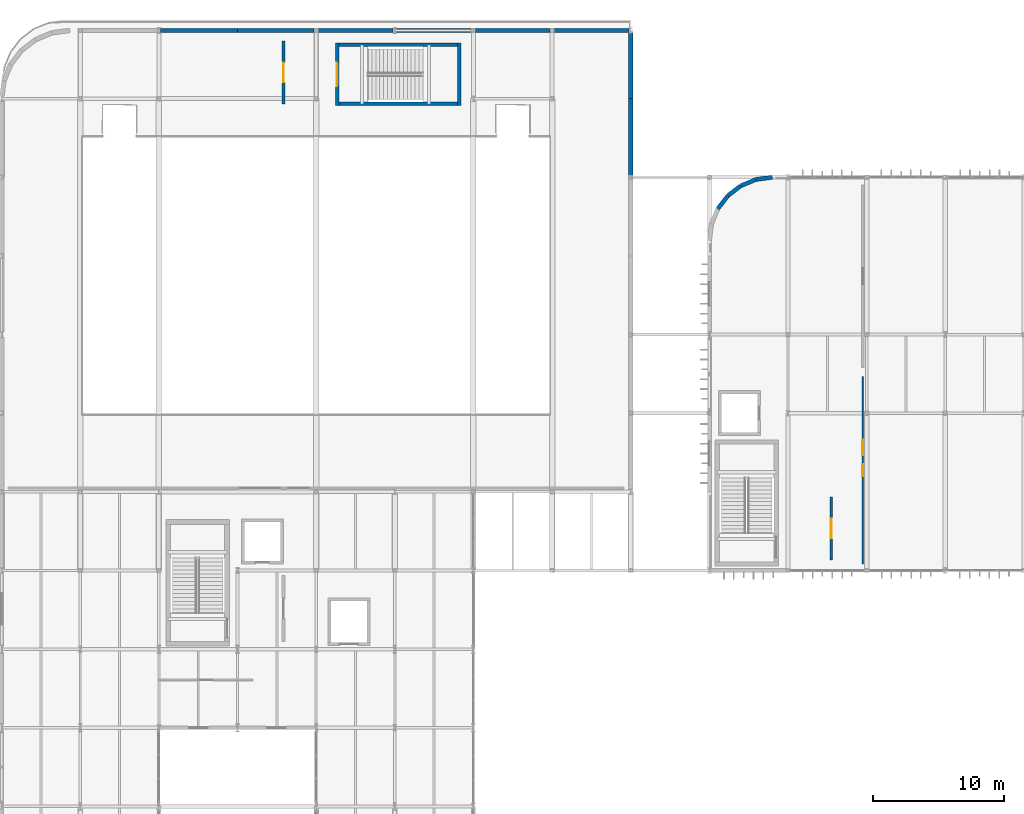
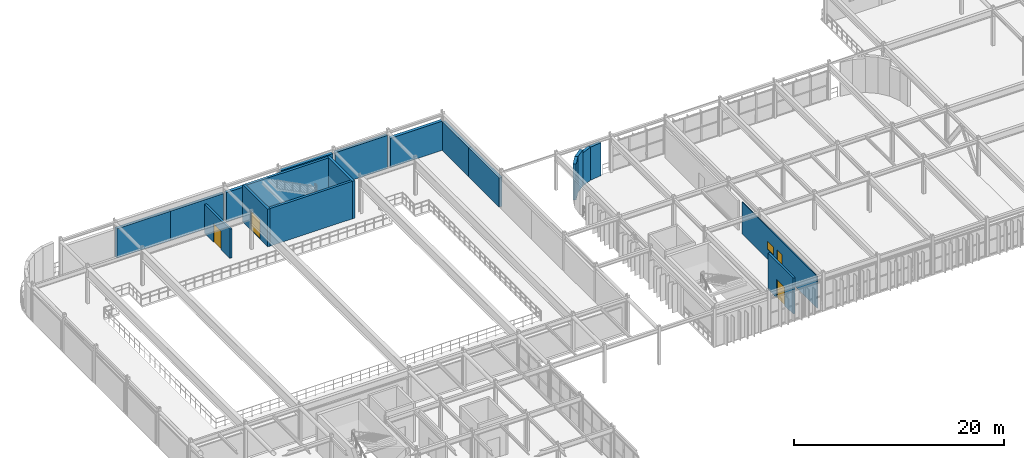
# One storey, part 67 of 96: 19 walls, 4 doors, 1 window, 5 openings.
"""IFC4 building model written with IfcOpenShell, lengths in metres."""

from ifc_helpers import new_model, si_unit, direction, frame, frame_2d, origin, place, context, subcontext, project, spatial, rectangle, extrude, material, layer, layer_set, type_object, element, fill, save


model = new_model("IFC4")

# Units and contexts
model_context = context("Model", 3, precision=1e-05, world=origin(), true_north=direction((0.0, 1.0)))
body_context = subcontext(model_context, "Body", "Model", "MODEL_VIEW")
ifc_project = project(units=[si_unit("LENGTHUNIT", "METRE"), si_unit("AREAUNIT", "SQUARE_METRE"), si_unit("VOLUMEUNIT", "CUBIC_METRE"), si_unit("PLANEANGLEUNIT", "RADIAN"), si_unit("MASSUNIT", "GRAM", prefix="KILO")], contexts=[model_context])

# Site, building, storey
site_placement = place(None, origin())
site = spatial("IfcSite", under=ifc_project, at=site_placement, CompositionType="ELEMENT")
building_placement = place(site_placement, origin())
building = spatial("IfcBuilding", under=site, at=building_placement, Name="Varnakota Square Police Headquarters", CompositionType="ELEMENT")
storey_placement = place(building_placement, frame((0.0, 0.0, 4.800048828125)))
storey = spatial("IfcBuildingStorey", under=building, at=storey_placement, Name="L01", CompositionType="ELEMENT", Elevation=4.800048828125)

# Walls
ifc_material_1 = material(Name="Concrete M50", Category="concrete")
ifc_layer_1 = layer(ifc_material_1, 0.27001953125, Name="Concrete M50")
ifc_layer_set_1 = layer_set([ifc_layer_1], Name="Concrete M50")
wall_type_1 = type_object("IfcWallType", Name="WL-CORE-270", PredefinedType="SHEAR", material=ifc_layer_set_1)
wall_1_placement = place(storey_placement, frame((31.465087890625, 104.60009765625, 0.0), z_axis=(0.0, 0.0, 1.0), x_axis=(1.0, 0.0, 0.0)))
element("IfcWall", 1, at=wall_1_placement, inside=storey, type_object=wall_type_1, Name="Core C7 shear wall L01 S", PredefinedType="SHEAR", context=body_context, shape_type="SweptSolid", body=[
    extrude(rectangle(XDim=9.56982421875, YDim=0.27001953125, at=frame_2d((4.784912109375, 0.0))), origin(), (0.0, 0.0, 1.0), 4.35986328125),
])
wall_2_placement = place(storey_placement, frame((40.89990234375, 104.465087890625, 0.0), z_axis=(0.0, 0.0, 1.0), x_axis=(0.0, 1.0, 0.0)))
element("IfcWall", 2, at=wall_2_placement, inside=storey, type_object=wall_type_1, Name="Core C7 shear wall L01 E", PredefinedType="SHEAR", context=body_context, shape_type="SweptSolid", body=[
    extrude(rectangle(XDim=4.77001953125, YDim=0.27001953125, at=frame_2d((2.385009765625, 0.0))), origin(), (0.0, 0.0, 1.0), 4.35986328125),
])
wall_3_placement = place(storey_placement, frame((41.034912109375, 109.10009765625, 0.0), z_axis=(0.0, 0.0, 1.0), x_axis=(-1.0, 0.0, 0.0)))
element("IfcWall", 3, at=wall_3_placement, inside=storey, type_object=wall_type_1, Name="Core C7 shear wall L01 N", PredefinedType="SHEAR", context=body_context, shape_type="SweptSolid", body=[
    extrude(rectangle(XDim=9.56982421875, YDim=0.27001953125, at=frame_2d((4.784912109375, 0.0))), origin(), (0.0, 0.0, 1.0), 4.35986328125),
])

# Wall, opening, door
wall_4_placement = place(storey_placement, frame((31.60009765625, 109.235107421875, 0.0), z_axis=(0.0, 0.0, 1.0), x_axis=(0.0, -1.0, 0.0)))
wall_4 = element("IfcWall", 4, at=wall_4_placement, inside=storey, type_object=wall_type_1, Name="Core C7 shear wall L01 W", PredefinedType="SHEAR", context=body_context, shape_type="SweptSolid", body=[
    extrude(rectangle(XDim=4.77001953125, YDim=0.27001953125, at=frame_2d((2.385009765625, 0.0))), origin(), (0.0, 0.0, 1.0), 4.35986328125),
])
opening_1_placement = place(wall_4_placement, frame((1.485107421875, 0.0, 0.0)))
opening_1 = element("IfcOpeningElement", 5, at=opening_1_placement, cuts=wall_4, Name="Opening SD105", PredefinedType="OPENING", context=body_context, shape_type="SweptSolid", body=[
    extrude(rectangle(XDim=1.800048828125, YDim=2.199951171875, at=frame_2d((0.89990234375, 1.10009765625))), frame((0.0, 0.14501953125, 0.0), z_axis=(0.0, -1.0, 0.0), x_axis=(1.0, 0.0, 0.0)), (0.0, 0.0, 1.0), 0.2900390625),
])
ifc_material_2 = material(Name="Powder-Coated Galvanised Steel", Category="steel")
door_type_1 = type_object("IfcDoorType", Name="DR-ST-180", OperationType="NOTDEFINED", PredefinedType="DOOR", material=ifc_material_2)
door_1_placement = place(opening_1_placement, origin())
door_1 = element("IfcDoor", 6, at=door_1_placement, inside=storey, type_object=door_type_1, Name="Protected stair door SD105", OperationType="DOUBLE_DOOR_SINGLE_SWING", OverallHeight=2.199951171875, OverallWidth=1.800048828125, PredefinedType="DOOR", context=body_context, shape_type="SweptSolid", body=[
    extrude(rectangle(XDim=1.800048828125, YDim=2.199951171875, at=frame_2d((0.89990234375, 1.10009765625))), frame((0.0, 0.02490234375, 0.0), z_axis=(0.0, -1.0, 0.0), x_axis=(1.0, 0.0, 0.0)), (0.0, 0.0, 1.0), 0.050048828125),
])
fill(opening_1, door_1)

# Walls
ifc_material_3 = material(Name="Precast concrete M40", Category="concrete")
ifc_layer_2 = layer(ifc_material_3, 0.320068359375, Name="Precast concrete M40")
ifc_layer_set_2 = layer_set([ifc_layer_2], Name="Precast concrete M40")
wall_type_2 = type_object("IfcWallType", Name="WL-EXT-320", PredefinedType="SOLIDWALL", material=ifc_layer_set_2)
for number, where, z_axis, x_axis, name in (
    (7, (64.800048828125, 99.0, 0.0), (0.0, 0.0, 1.0), (-0.991444346045, -0.130530106475, 0.0), "Exterior wall EW-L01-0492"),
    (8, (63.5576171875, 98.83642578125, 0.0), (0.0, 0.0, 1.0), (-0.92389335771, -0.382650053678, 0.0), "Exterior wall EW-L01-0493"),
):
    element("IfcWall", number, at=place(storey_placement, frame(where, z_axis=z_axis, x_axis=x_axis)), inside=storey, type_object=wall_type_2, Name=name, PredefinedType="SOLIDWALL", context=body_context, shape_type="SweptSolid", body=[
        extrude(rectangle(XDim=1.253173828125, YDim=0.320068359375, at=frame_2d((0.62646484375, 0.0))), origin(), (0.0, 0.0, 1.0), 3.83984375),
    ])
for number, where, z_axis, x_axis, name in (
    (9, (62.39990234375, 98.35693359375, 0.0), (0.0, 0.0, 1.0), (-0.793239285824, -0.60891003886, 0.0), "Exterior wall EW-L01-0494"),
    (10, (61.406005859375, 97.593994140625, 0.0), (0.0, 0.0, 1.0), (-0.60891003886, -0.793239285824, 0.0), "Exterior wall EW-L01-0495"),
):
    element("IfcWall", number, at=place(storey_placement, frame(where, z_axis=z_axis, x_axis=x_axis)), inside=storey, type_object=wall_type_2, Name=name, PredefinedType="SOLIDWALL", context=body_context, shape_type="SweptSolid", body=[
        extrude(rectangle(XDim=1.2529296875, YDim=0.320068359375, at=frame_2d((0.62646484375, 0.0))), origin(), (0.0, 0.0, 1.0), 4.195068359375),
    ])
wall_5_placement = place(storey_placement, frame((54.0, 99.154052734375, 0.0), z_axis=(0.0, 0.0, 1.0), x_axis=(0.0, 1.0, 0.0)))
element("IfcWall", 11, at=wall_5_placement, inside=storey, type_object=wall_type_2, Name="Exterior wall EW-L01-0595", PredefinedType="SOLIDWALL", context=body_context, shape_type="SweptSolid", body=[
    extrude(rectangle(XDim=5.845947265625, YDim=0.320068359375, at=frame_2d((2.9228515625, 0.0))), origin(), (0.0, 0.0, 1.0), 3.389892578125),
])
wall_6_placement = place(storey_placement, frame((54.0, 105.0, 0.0), z_axis=(0.0, 0.0, 1.0), x_axis=(0.0, 1.0, 0.0)))
element("IfcWall", 12, at=wall_6_placement, inside=storey, type_object=wall_type_2, Name="Exterior wall EW-L01-0596", PredefinedType="SOLIDWALL", context=body_context, shape_type="SweptSolid", body=[
    extrude(rectangle(XDim=4.99609375, YDim=0.320068359375, at=frame_2d((2.498046875, 0.0))), origin(), (0.0, 0.0, 1.0), 3.389892578125),
])
ifc_material_4 = material(Name="Concrete M40", Category="concrete")
ifc_layer_3 = layer(ifc_material_4, 0.340087890625, Name="Concrete M40")
ifc_layer_set_3 = layer_set([ifc_layer_3], Name="Concrete M40")
wall_type_3 = type_object("IfcWallType", Name="WL-EXT-340", PredefinedType="SOLIDWALL", material=ifc_layer_set_3)
wall_7_placement = place(storey_placement, frame((18.12890625, 110.199951171875, 0.0), z_axis=(0.0, 0.0, 1.0), x_axis=(1.0, 0.0, 0.0)))
element("IfcWall", 13, at=wall_7_placement, inside=storey, type_object=wall_type_3, Name="Exterior wall EW-L01-0585", PredefinedType="SOLIDWALL", context=body_context, shape_type="SweptSolid", body=[
    extrude(rectangle(XDim=5.87109375, YDim=0.340087890625, at=frame_2d((2.935546875, 0.0))), origin(), (0.0, 0.0, 1.0), 3.389892578125),
])
wall_8_placement = place(storey_placement, frame((24.0, 110.199951171875, 0.0), z_axis=(0.0, 0.0, 1.0), x_axis=(1.0, 0.0, 0.0)))
element("IfcWall", 14, at=wall_8_placement, inside=storey, type_object=wall_type_3, Name="Exterior wall EW-L01-0586", PredefinedType="SOLIDWALL", context=body_context, shape_type="SweptSolid", body=[
    extrude(rectangle(XDim=5.845947265625, YDim=0.340087890625, at=frame_2d((2.9228515625, 0.0))), origin(), (0.0, 0.0, 1.0), 3.389892578125),
])
wall_9_placement = place(storey_placement, frame((30.154052734375, 110.199951171875, 0.0), z_axis=(0.0, 0.0, 1.0), x_axis=(1.0, 0.0, 0.0)))
element("IfcWall", 15, at=wall_9_placement, inside=storey, type_object=wall_type_3, Name="Exterior wall EW-L01-0587", PredefinedType="SOLIDWALL", context=body_context, shape_type="SweptSolid", body=[
    extrude(rectangle(XDim=5.717041015625, YDim=0.340087890625, at=frame_2d((2.8583984375, 0.0))), origin(), (0.0, 0.0, 1.0), 3.389892578125),
])
wall_10_placement = place(storey_placement, frame((36.12890625, 110.199951171875, 0.0), z_axis=(0.0, 0.0, 1.0), x_axis=(1.0, 0.0, 0.0)))
element("IfcWall", 16, at=wall_10_placement, inside=storey, type_object=wall_type_3, Name="Exterior wall EW-L01-0588", PredefinedType="SOLIDWALL", context=body_context, shape_type="SweptSolid", body=[
    extrude(rectangle(XDim=5.717041015625, YDim=0.340087890625, at=frame_2d((2.8583984375, 0.0))), origin(), (0.0, 0.0, 1.0), 3.83984375),
])
wall_11_placement = place(storey_placement, frame((42.154052734375, 110.199951171875, 0.0), z_axis=(0.0, 0.0, 1.0), x_axis=(1.0, 0.0, 0.0)))
element("IfcWall", 17, at=wall_11_placement, inside=storey, type_object=wall_type_3, Name="Exterior wall EW-L01-0589", PredefinedType="SOLIDWALL", context=body_context, shape_type="SweptSolid", body=[
    extrude(rectangle(XDim=5.69189453125, YDim=0.340087890625, at=frame_2d((2.845947265625, 0.0))), origin(), (0.0, 0.0, 1.0), 3.83984375),
])
wall_12_placement = place(storey_placement, frame((48.154052734375, 110.199951171875, 0.0), z_axis=(0.0, 0.0, 1.0), x_axis=(1.0, 0.0, 0.0)))
element("IfcWall", 18, at=wall_12_placement, inside=storey, type_object=wall_type_3, Name="Exterior wall EW-L01-0590", PredefinedType="SOLIDWALL", context=body_context, shape_type="SweptSolid", body=[
    extrude(rectangle(XDim=5.717041015625, YDim=0.340087890625, at=frame_2d((2.8583984375, 0.0))), origin(), (0.0, 0.0, 1.0), 3.389892578125),
])

# Wall, openings, door, window
ifc_material_5 = material(Name="Glazed Clean-Lab Modular Partition", Category="gypsum")
ifc_layer_4 = layer(ifc_material_5, 0.10498046875, Name="Glazed Clean-Lab Modular Partition")
ifc_layer_set_4 = layer_set([ifc_layer_4], Name="Glazed Clean-Lab Modular Partition")
wall_type_4 = type_object("IfcWallType", Name="WL-PRT-105", PredefinedType="PARTITIONING", material=ifc_layer_set_4)
wall_13_placement = place(storey_placement, frame((71.699951171875, 69.5, 0.0), z_axis=(0.0, 0.0, 1.0), x_axis=(0.0, 1.0, 0.0)))
wall_13 = element("IfcWall", 19, at=wall_13_placement, inside=storey, type_object=wall_type_4, Name="Interior partition PW-L01-0104 (Incident Support Office)", PredefinedType="PARTITIONING", context=body_context, shape_type="SweptSolid", body=[
    extrude(rectangle(XDim=14.300048828125, YDim=0.10498046875, at=frame_2d((7.14990234375, 0.0))), origin(), (0.0, 0.0, 1.0), 3.68994140625),
])
opening_2_placement = place(wall_13_placement, frame((6.675048828125, 0.0, 0.0)))
opening_2 = element("IfcOpeningElement", 20, at=opening_2_placement, cuts=wall_13, Name="Opening D210", PredefinedType="OPENING", context=body_context, shape_type="SweptSolid", body=[
    extrude(rectangle(XDim=0.949951171875, YDim=2.14990234375, at=frame_2d((0.47509765625, 1.074951171875))), frame((0.0, 0.0625, 0.0), z_axis=(0.0, -1.0, 0.0), x_axis=(1.0, 0.0, 0.0)), (0.0, 0.0, 1.0), 0.125),
])
opening_3_placement = place(wall_13_placement, frame((8.27490234375, 0.0, 1.14990234375)))
opening_3 = element("IfcOpeningElement", 21, at=opening_3_placement, cuts=wall_13, Name="Opening IW05", PredefinedType="OPENING", context=body_context, shape_type="SweptSolid", body=[
    extrude(rectangle(XDim=1.199951171875, YDim=0.89990234375, at=frame_2d((0.60009765625, 0.449951171875))), frame((0.0, 0.0625, 0.0), z_axis=(0.0, -1.0, 0.0), x_axis=(1.0, 0.0, 0.0)), (0.0, 0.0, 1.0), 0.125),
])
ifc_material_6 = material(Name="Solid-Core Teak Veneer Hardwood", Category="wood")
door_type_2 = type_object("IfcDoorType", Name="DR-OFF-095", OperationType="NOTDEFINED", PredefinedType="DOOR", material=ifc_material_6)
door_2_placement = place(opening_2_placement, origin())
door_2 = element("IfcDoor", 22, at=door_2_placement, inside=storey, type_object=door_type_2, Name="Room door D210 (Incident Support Office)", OperationType="SINGLE_SWING_LEFT", OverallHeight=2.14990234375, OverallWidth=0.949951171875, PredefinedType="DOOR", context=body_context, shape_type="SweptSolid", body=[
    extrude(rectangle(XDim=0.949951171875, YDim=2.14990234375, at=frame_2d((0.47509765625, 1.074951171875))), frame((0.0, 0.02490234375, 0.0), z_axis=(0.0, -1.0, 0.0), x_axis=(1.0, 0.0, 0.0)), (0.0, 0.0, 1.0), 0.050048828125),
])
fill(opening_2, door_2)
ifc_material_7 = material(Name="Acoustic Laminated Interior Vision Glazing", Category="glass")
window_type = type_object("IfcWindowType", Name="WIN-INT-05", PartitioningType="SINGLE_PANEL", PredefinedType="WINDOW", material=ifc_material_7)
window_placement = place(opening_3_placement, origin())
window = element("IfcWindow", 23, at=window_placement, inside=storey, type_object=window_type, Name="Interior observation window IWN-L01-021", OverallHeight=0.89990234375, OverallWidth=1.199951171875, PartitioningType="SINGLE_PANEL", PredefinedType="WINDOW", context=body_context, shape_type="SweptSolid", body=[
    extrude(rectangle(XDim=1.199951171875, YDim=0.89990234375, at=frame_2d((0.60009765625, 0.449951171875))), frame((0.0, 0.030029296875, 0.0), z_axis=(0.0, -1.0, 0.0), x_axis=(1.0, 0.0, 0.0)), (0.0, 0.0, 1.0), 0.06005859375),
])
fill(opening_3, window)

# Wall, opening, door
ifc_layer_5 = layer(ifc_material_4, 0.215087890625, Name="Concrete M40")
ifc_layer_set_5 = layer_set([ifc_layer_5], Name="Concrete M40")
wall_type_5 = type_object("IfcWallType", Name="WL-PRT-215F", PredefinedType="PARTITIONING", material=ifc_layer_set_5)
wall_14_placement = place(storey_placement, frame((69.300048828125, 69.800048828125, 0.0), z_axis=(0.0, 0.0, 1.0), x_axis=(0.0, 1.0, 0.0)))
wall_14 = element("IfcWall", 24, at=wall_14_placement, inside=storey, type_object=wall_type_5, Name="Core C6 lobby fire partition L01", PredefinedType="PARTITIONING", context=body_context, shape_type="SweptSolid", body=[
    extrude(rectangle(XDim=4.800048828125, YDim=0.215087890625, at=frame_2d((2.39990234375, 0.0))), origin(), (0.0, 0.0, 1.0), 4.18994140625),
])
opening_4_placement = place(wall_14_placement, frame((1.64990234375, 0.0, 0.0)))
opening_4 = element("IfcOpeningElement", 25, at=opening_4_placement, cuts=wall_14, Name="Opening FD099", PredefinedType="OPENING", context=body_context, shape_type="SweptSolid", body=[
    extrude(rectangle(XDim=1.5, YDim=2.14990234375, at=frame_2d((0.75, 1.074951171875))), frame((0.0, 0.117431640625, 0.0), z_axis=(0.0, -1.0, 0.0), x_axis=(1.0, 0.0, 0.0)), (0.0, 0.0, 1.0), 0.235107421875),
])
ifc_material_8 = material(Name="Smoke-Sealed Galvanised Acoustic Steel", Category="steel")
door_type_3 = type_object("IfcDoorType", Name="DR-FFL-150", OperationType="NOTDEFINED", PredefinedType="DOOR", material=ifc_material_8)
door_3_placement = place(opening_4_placement, origin())
door_3 = element("IfcDoor", 26, at=door_3_placement, inside=storey, type_object=door_type_3, Name="Core lobby smoke door FD099", OperationType="DOUBLE_DOOR_SINGLE_SWING", OverallHeight=2.14990234375, OverallWidth=1.5, PredefinedType="DOOR", context=body_context, shape_type="SweptSolid", body=[
    extrude(rectangle(XDim=1.5, YDim=2.14990234375, at=frame_2d((0.75, 1.074951171875))), frame((0.0, 0.02490234375, 0.0), z_axis=(0.0, -1.0, 0.0), x_axis=(1.0, 0.0, 0.0)), (0.0, 0.0, 1.0), 0.050048828125),
])
fill(opening_4, door_3)

wall_15_placement = place(storey_placement, frame((27.5, 104.60009765625, 0.0), z_axis=(0.0, 0.0, 1.0), x_axis=(0.0, 1.0, 0.0)))
wall_15 = element("IfcWall", 27, at=wall_15_placement, inside=storey, type_object=wall_type_5, Name="Core C7 lobby fire partition L01", PredefinedType="PARTITIONING", context=body_context, shape_type="SweptSolid", body=[
    extrude(rectangle(XDim=4.7998046875, YDim=0.215087890625, at=frame_2d((2.39990234375, 0.0))), origin(), (0.0, 0.0, 1.0), 3.389892578125),
])
opening_5_placement = place(wall_15_placement, frame((1.64990234375, 0.0, 0.0)))
opening_5 = element("IfcOpeningElement", 28, at=opening_5_placement, cuts=wall_15, Name="Opening FD110", PredefinedType="OPENING", context=body_context, shape_type="SweptSolid", body=[
    extrude(rectangle(XDim=1.5, YDim=2.14990234375, at=frame_2d((0.75, 1.074951171875))), frame((0.0, 0.117431640625, 0.0), z_axis=(0.0, -1.0, 0.0), x_axis=(1.0, 0.0, 0.0)), (0.0, 0.0, 1.0), 0.235107421875),
])
door_4_placement = place(opening_5_placement, origin())
door_4 = element("IfcDoor", 29, at=door_4_placement, inside=storey, type_object=door_type_3, Name="Core lobby smoke door FD110", OperationType="DOUBLE_DOOR_SINGLE_SWING", OverallHeight=2.14990234375, OverallWidth=1.5, PredefinedType="DOOR", context=body_context, shape_type="SweptSolid", body=[
    extrude(rectangle(XDim=1.5, YDim=2.14990234375, at=frame_2d((0.75, 1.074951171875))), frame((0.0, 0.02490234375, 0.0), z_axis=(0.0, -1.0, 0.0), x_axis=(1.0, 0.0, 0.0)), (0.0, 0.0, 1.0), 0.050048828125),
])
fill(opening_5, door_4)

save(model, "model.ifc")
